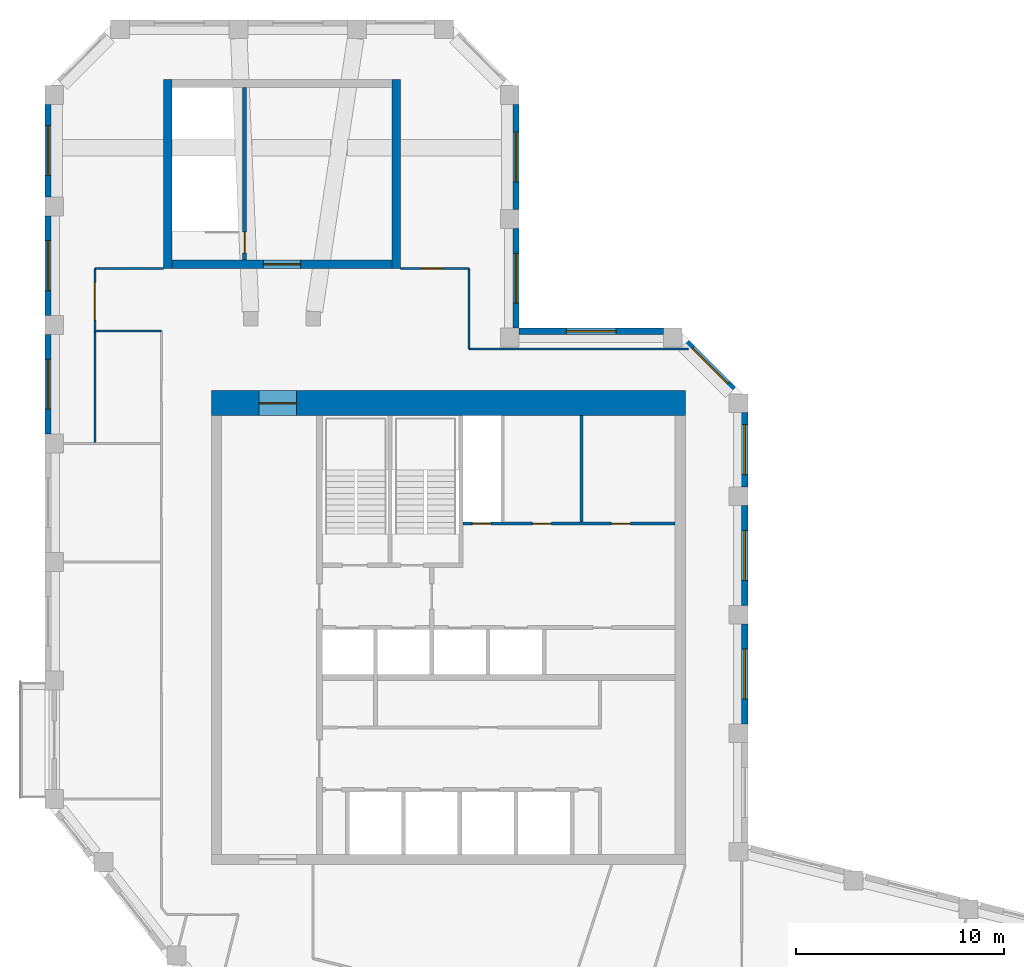
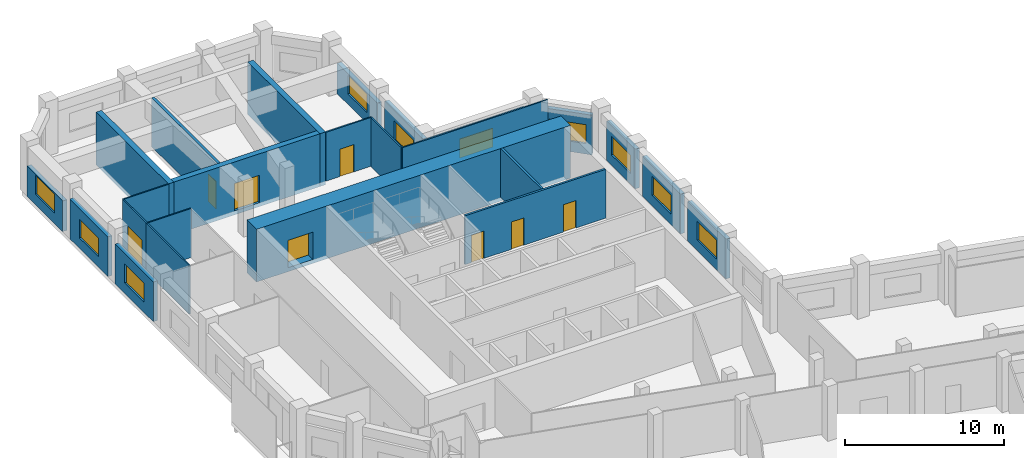
# One storey, part 6 of 8: 24 walls, 10 windows, 8 doors, 18 openings.
"""IFC4 building model written with IfcOpenShell, lengths in metres."""

from ifc_helpers import new_model, si_unit, direction, frame, frame_2d, origin, place, context, subcontext, project, spatial, rectangle, extrude, material, layer, layer_set, type_object, element, fill, save


model = new_model("IFC4")

# Units and contexts
model_context = context("Model", 3, precision=1e-05, world=origin(), true_north=direction((0.0, 1.0)))
body_context = subcontext(model_context, "Body", "Model", "MODEL_VIEW")
ifc_project = project(units=[si_unit("LENGTHUNIT", "METRE"), si_unit("AREAUNIT", "SQUARE_METRE"), si_unit("VOLUMEUNIT", "CUBIC_METRE"), si_unit("PLANEANGLEUNIT", "RADIAN"), si_unit("MASSUNIT", "GRAM", prefix="KILO")], contexts=[model_context])

# Site, building, storey
site_placement = place(None, origin())
site = spatial("IfcSite", under=ifc_project, at=site_placement, CompositionType="ELEMENT")
building_placement = place(site_placement, origin())
building = spatial("IfcBuilding", under=site, at=building_placement, Name="Meshkara Civic Tower", CompositionType="ELEMENT")
storey_placement = place(building_placement, frame((0.0, 0.0, 396.0)))
storey = spatial("IfcBuildingStorey", under=building, at=storey_placement, Name="L91", CompositionType="ELEMENT", Elevation=396.0)

# Wall, openings, doors
ifc_material_1 = material(Name="Blockwork", Category="masonry")
ifc_layer_1 = layer(ifc_material_1, 0.14990234375)
ifc_layer_set_1 = layer_set([ifc_layer_1], Name="Core partition 150")
wall_type_1 = type_object("IfcWallType", Name="Core partition 150", PredefinedType="PARTITIONING", material=ifc_layer_set_1)
wall_1_placement = place(storey_placement, frame((20.10009765625, 30.5, 0.0), z_axis=(0.0, 0.0, 1.0), x_axis=(1.0, 0.0, 0.0)))
wall_1 = element("IfcWall", 1, at=wall_1_placement, inside=storey, type_object=wall_type_1, Name="L91-C010", PredefinedType="PARTITIONING", context=body_context, shape_type="SweptSolid", body=[
    extrude(rectangle(XDim=10.199951171875, YDim=0.14990234375, at=frame_2d((5.10009765625, 0.0))), origin(), (0.0, 0.0, 1.0), 3.75),
])
opening_1_placement = place(wall_1_placement, frame((0.449951171875, 0.0, 0.0)))
opening_1 = element("IfcOpeningElement", 2, at=opening_1_placement, cuts=wall_1, Name="Opening L91-K014", PredefinedType="OPENING", context=body_context, shape_type="SweptSolid", body=[
    extrude(rectangle(XDim=0.89990234375, YDim=2.10009765625, at=frame_2d((0.449951171875, 1.050048828125))), frame((0.0, 0.0849609375, 0.0), z_axis=(0.0, -1.0, 0.0), x_axis=(1.0, 0.0, 0.0)), (0.0, 0.0, 1.0), 0.169921875),
])
opening_2_placement = place(wall_1_placement, frame((3.35009765625, 0.0, 0.0)))
opening_2 = element("IfcOpeningElement", 3, at=opening_2_placement, cuts=wall_1, Name="Opening L91-K015", PredefinedType="OPENING", context=body_context, shape_type="SweptSolid", body=[
    extrude(rectangle(XDim=0.89990234375, YDim=2.10009765625, at=frame_2d((0.449951171875, 1.050048828125))), frame((0.0, 0.0849609375, 0.0), z_axis=(0.0, -1.0, 0.0), x_axis=(1.0, 0.0, 0.0)), (0.0, 0.0, 1.0), 0.169921875),
])
opening_3_placement = place(wall_1_placement, frame((7.14990234375, 0.0, 0.0)))
opening_3 = element("IfcOpeningElement", 4, at=opening_3_placement, cuts=wall_1, Name="Opening L91-K016", PredefinedType="OPENING", context=body_context, shape_type="SweptSolid", body=[
    extrude(rectangle(XDim=0.89990234375, YDim=2.10009765625, at=frame_2d((0.449951171875, 1.050048828125))), frame((0.0, 0.0849609375, 0.0), z_axis=(0.0, -1.0, 0.0), x_axis=(1.0, 0.0, 0.0)), (0.0, 0.0, 1.0), 0.169921875),
])
ifc_material_2 = material(Name="Timber door leaf in steel frame", Category="steel")
door_type_1 = type_object("IfcDoorType", Name="Core room door 900", OperationType="SINGLE_SWING_LEFT", PredefinedType="DOOR", material=ifc_material_2)
door_1_placement = place(opening_2_placement, origin())
door_1 = element("IfcDoor", 5, at=door_1_placement, inside=storey, type_object=door_type_1, Name="L91-K015", OperationType="SINGLE_SWING_RIGHT", OverallHeight=2.10009765625, OverallWidth=0.89990234375, PredefinedType="DOOR", context=body_context, shape_type="SweptSolid", body=[
    extrude(rectangle(XDim=0.89990234375, YDim=2.10009765625, at=frame_2d((0.449951171875, 1.050048828125))), frame((0.0, 0.02490234375, 0.0), z_axis=(0.0, -1.0, 0.0), x_axis=(1.0, 0.0, 0.0)), (0.0, 0.0, 1.0), 0.050048828125),
])
fill(opening_2, door_1)
ifc_material_3 = material(Name="Fire-rated door leaf in steel frame", Category="steel")
door_type_2 = type_object("IfcDoorType", Name="Riser door 900", OperationType="SINGLE_SWING_LEFT", PredefinedType="DOOR", material=ifc_material_3)
door_2_placement = place(opening_1_placement, origin())
door_2 = element("IfcDoor", 6, at=door_2_placement, inside=storey, type_object=door_type_2, Name="L91-K014", OperationType="SINGLE_SWING_RIGHT", OverallHeight=2.10009765625, OverallWidth=0.89990234375, PredefinedType="DOOR", context=body_context, shape_type="SweptSolid", body=[
    extrude(rectangle(XDim=0.89990234375, YDim=2.10009765625, at=frame_2d((0.449951171875, 1.050048828125))), frame((0.0, 0.02490234375, 0.0), z_axis=(0.0, -1.0, 0.0), x_axis=(1.0, 0.0, 0.0)), (0.0, 0.0, 1.0), 0.050048828125),
])
fill(opening_1, door_2)
ifc_material_4 = material(Name="Timber door leaf in steel frame", Category="steel")
door_type_3 = type_object("IfcDoorType", Name="WC door 900", OperationType="SINGLE_SWING_LEFT", PredefinedType="DOOR", material=ifc_material_4)
door_3_placement = place(opening_3_placement, origin())
door_3 = element("IfcDoor", 7, at=door_3_placement, inside=storey, type_object=door_type_3, Name="L91-K016", OperationType="SINGLE_SWING_LEFT", OverallHeight=2.10009765625, OverallWidth=0.89990234375, PredefinedType="DOOR", context=body_context, shape_type="SweptSolid", body=[
    extrude(rectangle(XDim=0.89990234375, YDim=2.10009765625, at=frame_2d((0.449951171875, 1.050048828125))), frame((0.0, 0.02490234375, 0.0), z_axis=(0.0, -1.0, 0.0), x_axis=(1.0, 0.0, 0.0)), (0.0, 0.0, 1.0), 0.050048828125),
])
fill(opening_3, door_3)

# Wall
wall_2_placement = place(storey_placement, frame((25.800048828125, 30.574951171875, 0.0), z_axis=(0.0, 0.0, 1.0), x_axis=(0.0, 1.0, 0.0)))
element("IfcWall", 8, at=wall_2_placement, inside=storey, type_object=wall_type_1, Name="L91-C024", PredefinedType="PARTITIONING", context=body_context, shape_type="SweptSolid", body=[
    extrude(rectangle(XDim=5.125, YDim=0.14990234375, at=frame_2d((2.5625, 0.0))), origin(), (0.0, 0.0, 1.0), 3.75),
])

# Wall, opening, door
ifc_material_5 = material(Name="Concrete C50", Category="concrete")
ifc_layer_2 = layer(ifc_material_5, 1.199951171875)
ifc_layer_set_2 = layer_set([ifc_layer_2], Name="Core ring wall 1200 C50")
wall_type_2 = type_object("IfcWallType", Name="Core ring wall 1200 C50", PredefinedType="SHEAR", material=ifc_layer_set_2)
wall_3_placement = place(storey_placement, frame((8.0, 36.300048828125, -0.300048828125), z_axis=(0.0, 0.0, 1.0), x_axis=(1.0, 0.0, 0.0)))
wall_3 = element("IfcWall", 9, at=wall_3_placement, inside=storey, type_object=wall_type_2, Name="L91-C002", PredefinedType="SHEAR", context=body_context, shape_type="SweptSolid", body=[
    extrude(rectangle(XDim=22.800048828125, YDim=1.199951171875, at=frame_2d((11.39990234375, 0.0))), origin(), (0.0, 0.0, 1.0), 4.050048828125),
])
opening_4_placement = place(wall_3_placement, frame((2.300048828125, 0.0, 0.300048828125)))
opening_4 = element("IfcOpeningElement", 10, at=opening_4_placement, cuts=wall_3, Name="Opening L91-K022", PredefinedType="OPENING", context=body_context, shape_type="SweptSolid", body=[
    extrude(rectangle(XDim=1.800048828125, YDim=2.10009765625, at=frame_2d((0.89990234375, 1.050048828125))), frame((0.0, 0.60986328125, 0.0), z_axis=(0.0, -1.0, 0.0), x_axis=(1.0, 0.0, 0.0)), (0.0, 0.0, 1.0), 1.219970703125),
])
ifc_material_6 = material(Name="Fire-rated door leaf in steel frame", Category="steel")
door_type_4 = type_object("IfcDoorType", Name="Core double door 1800 EI 60", OperationType="DOUBLE_DOOR_SINGLE_SWING", PredefinedType="DOOR", material=ifc_material_6)
door_4_placement = place(opening_4_placement, origin())
door_4 = element("IfcDoor", 11, at=door_4_placement, inside=storey, type_object=door_type_4, Name="L91-K022", OperationType="DOUBLE_DOOR_SINGLE_SWING", OverallHeight=2.10009765625, OverallWidth=1.800048828125, PredefinedType="DOOR", context=body_context, shape_type="SweptSolid", body=[
    extrude(rectangle(XDim=1.800048828125, YDim=2.10009765625, at=frame_2d((0.89990234375, 1.050048828125))), frame((0.0, 0.02490234375, 0.0), z_axis=(0.0, -1.0, 0.0), x_axis=(1.0, 0.0, 0.0)), (0.0, 0.0, 1.0), 0.050048828125),
])
fill(opening_4, door_4)

# Wall
ifc_material_7 = material(Name="Corridor wall 100")
ifc_layer_3 = layer(ifc_material_7, 0.10009765625)
ifc_layer_set_3 = layer_set([ifc_layer_3], Name="Corridor wall 100")
wall_type_3 = type_object("IfcWallType", Name="Corridor wall 100", PredefinedType="PARTITIONING", material=ifc_layer_set_3)
wall_4_placement = place(storey_placement, frame((2.39990234375, 39.77001953125, 0.0), z_axis=(0.0, 0.0, 1.0), x_axis=(1.0, 0.0, 0.0)))
element("IfcWall", 12, at=wall_4_placement, inside=storey, type_object=wall_type_3, Name="L91-W001", PredefinedType="PARTITIONING", context=body_context, shape_type="SweptSolid", body=[
    extrude(rectangle(XDim=3.2001953125, YDim=0.10009765625, at=frame_2d((1.60009765625, 0.0))), origin(), (0.0, 0.0, 1.0), 3.75),
])

# Wall, opening, door
wall_5_placement = place(storey_placement, frame((2.39990234375, 42.77001953125, 0.0), z_axis=(0.0, 0.0, 1.0), x_axis=(0.0, -1.0, 0.0)))
wall_5 = element("IfcWall", 13, at=wall_5_placement, inside=storey, type_object=wall_type_3, Name="L91-W002", PredefinedType="PARTITIONING", context=body_context, shape_type="SweptSolid", body=[
    extrude(rectangle(XDim=3.0, YDim=0.10009765625, at=frame_2d((1.5, 0.0))), origin(), (0.0, 0.0, 1.0), 3.75),
])
opening_5_placement = place(wall_5_placement, frame((0.679931640625, 0.0, 0.0)))
opening_5 = element("IfcOpeningElement", 14, at=opening_5_placement, cuts=wall_5, Name="Opening L91-D014", PredefinedType="OPENING", context=body_context, shape_type="SweptSolid", body=[
    extrude(rectangle(XDim=1.800048828125, YDim=2.10009765625, at=frame_2d((0.89990234375, 1.050048828125))), frame((0.0, 0.06005859375, 0.0), z_axis=(0.0, -1.0, 0.0), x_axis=(1.0, 0.0, 0.0)), (0.0, 0.0, 1.0), 0.1201171875),
])
ifc_material_8 = material(Name="Door pair 1800 x 2100")
door_type_5 = type_object("IfcDoorType", Name="Door pair 1800 x 2100", OperationType="SINGLE_SWING_LEFT", PredefinedType="DOOR", material=ifc_material_8)
door_5_placement = place(opening_5_placement, origin())
door_5 = element("IfcDoor", 15, at=door_5_placement, inside=storey, type_object=door_type_5, Name="L91-D014", OperationType="DOUBLE_DOOR_SINGLE_SWING", OverallHeight=2.10009765625, OverallWidth=1.800048828125, PredefinedType="DOOR", context=body_context, shape_type="SweptSolid", body=[
    extrude(rectangle(XDim=1.800048828125, YDim=2.10009765625, at=frame_2d((0.89990234375, 1.050048828125))), frame((0.0, 0.02490234375, 0.0), z_axis=(0.0, -1.0, 0.0), x_axis=(1.0, 0.0, 0.0)), (0.0, 0.0, 1.0), 0.050048828125),
])
fill(opening_5, door_5)

# Walls
wall_6_placement = place(storey_placement, frame((5.699951171875, 42.77001953125, 0.0), z_axis=(0.0, 0.0, 1.0), x_axis=(-1.0, 0.0, 0.0)))
element("IfcWall", 16, at=wall_6_placement, inside=storey, type_object=wall_type_3, Name="L91-W005", PredefinedType="PARTITIONING", context=body_context, shape_type="SweptSolid", body=[
    extrude(rectangle(XDim=3.300048828125, YDim=0.10009765625, at=frame_2d((1.64990234375, 0.0))), origin(), (0.0, 0.0, 1.0), 3.75),
])
wall_7_placement = place(storey_placement, frame((20.39990234375, 38.89990234375, 0.0), z_axis=(0.0, 0.0, 1.0), x_axis=(0.0, 1.0, 0.0)))
element("IfcWall", 17, at=wall_7_placement, inside=storey, type_object=wall_type_3, Name="L91-W011", PredefinedType="PARTITIONING", context=body_context, shape_type="SweptSolid", body=[
    extrude(rectangle(XDim=3.8701171875, YDim=0.10009765625, at=frame_2d((1.93505859375, 0.0))), origin(), (0.0, 0.0, 1.0), 3.75),
])

# Wall, opening, door
wall_8_placement = place(storey_placement, frame((20.39990234375, 42.77001953125, 0.0), z_axis=(0.0, 0.0, 1.0), x_axis=(-1.0, 0.0, 0.0)))
wall_8 = element("IfcWall", 18, at=wall_8_placement, inside=storey, type_object=wall_type_3, Name="L91-W012", PredefinedType="PARTITIONING", context=body_context, shape_type="SweptSolid", body=[
    extrude(rectangle(XDim=3.2998046875, YDim=0.10009765625, at=frame_2d((1.64990234375, 0.0))), origin(), (0.0, 0.0, 1.0), 3.75),
])
opening_6_placement = place(wall_8_placement, frame((1.280029296875, 0.0, 0.0)))
opening_6 = element("IfcOpeningElement", 19, at=opening_6_placement, cuts=wall_8, Name="Opening L91-D016", PredefinedType="OPENING", context=body_context, shape_type="SweptSolid", body=[
    extrude(rectangle(XDim=1.0, YDim=2.10009765625, at=frame_2d((0.5, 1.050048828125))), frame((0.0, 0.06005859375, 0.0), z_axis=(0.0, -1.0, 0.0), x_axis=(1.0, 0.0, 0.0)), (0.0, 0.0, 1.0), 0.1201171875),
])
ifc_material_9 = material(Name="Door 1000 x 2100")
door_type_6 = type_object("IfcDoorType", Name="Door 1000 x 2100", OperationType="SINGLE_SWING_LEFT", PredefinedType="DOOR", material=ifc_material_9)
door_6_placement = place(opening_6_placement, origin())
door_6 = element("IfcDoor", 20, at=door_6_placement, inside=storey, type_object=door_type_6, Name="L91-D016", OperationType="SINGLE_SWING_LEFT", OverallHeight=2.10009765625, OverallWidth=1.0, PredefinedType="DOOR", context=body_context, shape_type="SweptSolid", body=[
    extrude(rectangle(XDim=1.0, YDim=2.10009765625, at=frame_2d((0.5, 1.050048828125))), frame((0.0, 0.02490234375, 0.0), z_axis=(0.0, -1.0, 0.0), x_axis=(1.0, 0.0, 0.0)), (0.0, 0.0, 1.0), 0.050048828125),
])
fill(opening_6, door_6)

# Wall
wall_9_placement = place(storey_placement, frame((30.9560546875, 38.89990234375, 0.0), z_axis=(0.0, 0.0, 1.0), x_axis=(-1.0, 0.0, 0.0)))
element("IfcWall", 21, at=wall_9_placement, inside=storey, type_object=wall_type_3, Name="L91-W014", PredefinedType="PARTITIONING", context=body_context, shape_type="SweptSolid", body=[
    extrude(rectangle(XDim=10.55615234375, YDim=0.10009765625, at=frame_2d((5.278076171875, 0.0))), origin(), (0.0, 0.0, 1.0), 3.75),
])

# Wall, opening, window
ifc_material_10 = material(Name="Insulated infill panel with bronze anodised aluminium cladding", Category="aluminium")
ifc_layer_4 = layer(ifc_material_10, 0.300048828125)
ifc_layer_set_4 = layer_set([ifc_layer_4], Name="EXTERNAL INFILL WALL 300")
wall_type_4 = type_object("IfcWallType", Name="EXTERNAL INFILL WALL 300", PredefinedType="SOLIDWALL", material=ifc_layer_set_4)
wall_10_placement = place(storey_placement, frame((33.64990234375, 20.868896484375, 0.0), z_axis=(0.0, 0.0, 1.0), x_axis=(0.0, 1.0, 0.0)))
wall_10 = element("IfcWall", 22, at=wall_10_placement, inside=storey, type_object=wall_type_4, Name="External wall", PredefinedType="SOLIDWALL", context=body_context, shape_type="SweptSolid", body=[
    extrude(rectangle(XDim=4.800048828125, YDim=0.300048828125, at=frame_2d((2.39990234375, 0.0))), origin(), (0.0, 0.0, 1.0), 3.050048828125),
])
opening_7_placement = place(wall_10_placement, frame((1.199951171875, 0.0, 0.800048828125)))
opening_7 = element("IfcOpeningElement", 23, at=opening_7_placement, cuts=wall_10, Name="Opening W8", PredefinedType="OPENING", context=body_context, shape_type="SweptSolid", body=[
    extrude(rectangle(XDim=2.39990234375, YDim=1.449951171875, at=frame_2d((1.199951171875, 0.72509765625))), frame((0.0, 0.159912109375, 0.0), z_axis=(0.0, -1.0, 0.0), x_axis=(1.0, 0.0, 0.0)), (0.0, 0.0, 1.0), 0.320068359375),
])
ifc_material_11 = material(Name="Tinted double glazing", Category="glass")
window_type = type_object("IfcWindowType", Name="WINDOW 2400x1450", PartitioningType="DOUBLE_PANEL_VERTICAL", PredefinedType="WINDOW", material=ifc_material_11)
window_1_placement = place(opening_7_placement, origin())
window_1 = element("IfcWindow", 24, at=window_1_placement, inside=storey, type_object=window_type, Name="Window", OverallHeight=1.449951171875, OverallWidth=2.39990234375, PartitioningType="DOUBLE_PANEL_VERTICAL", PredefinedType="WINDOW", context=body_context, shape_type="SweptSolid", body=[
    extrude(rectangle(XDim=2.39990234375, YDim=1.449951171875, at=frame_2d((1.199951171875, 0.72509765625))), frame((0.0, 0.030029296875, 0.0), z_axis=(0.0, -1.0, 0.0), x_axis=(1.0, 0.0, 0.0)), (0.0, 0.0, 1.0), 0.06005859375),
])
fill(opening_7, window_1)

wall_11_placement = place(storey_placement, frame((33.64990234375, 26.569091796875, 0.0), z_axis=(0.0, 0.0, 1.0), x_axis=(0.0, 1.0, 0.0)))
wall_11 = element("IfcWall", 25, at=wall_11_placement, inside=storey, type_object=wall_type_4, Name="External wall", PredefinedType="SOLIDWALL", context=body_context, shape_type="SweptSolid", body=[
    extrude(rectangle(XDim=4.7998046875, YDim=0.300048828125, at=frame_2d((2.39990234375, 0.0))), origin(), (0.0, 0.0, 1.0), 3.050048828125),
])
opening_8_placement = place(wall_11_placement, frame((1.199951171875, 0.0, 0.800048828125)))
opening_8 = element("IfcOpeningElement", 26, at=opening_8_placement, cuts=wall_11, Name="Opening W8", PredefinedType="OPENING", context=body_context, shape_type="SweptSolid", body=[
    extrude(rectangle(XDim=2.39990234375, YDim=1.449951171875, at=frame_2d((1.199951171875, 0.72509765625))), frame((0.0, 0.159912109375, 0.0), z_axis=(0.0, -1.0, 0.0), x_axis=(1.0, 0.0, 0.0)), (0.0, 0.0, 1.0), 0.320068359375),
])
window_2_placement = place(opening_8_placement, origin())
window_2 = element("IfcWindow", 27, at=window_2_placement, inside=storey, type_object=window_type, Name="Window", OverallHeight=1.449951171875, OverallWidth=2.39990234375, PartitioningType="DOUBLE_PANEL_VERTICAL", PredefinedType="WINDOW", context=body_context, shape_type="SweptSolid", body=[
    extrude(rectangle(XDim=2.39990234375, YDim=1.449951171875, at=frame_2d((1.199951171875, 0.72509765625))), frame((0.0, 0.030029296875, 0.0), z_axis=(0.0, -1.0, 0.0), x_axis=(1.0, 0.0, 0.0)), (0.0, 0.0, 1.0), 0.06005859375),
])
fill(opening_8, window_2)

wall_12_placement = place(storey_placement, frame((33.64990234375, 32.26904296875, 0.0), z_axis=(0.0, 0.0, 1.0), x_axis=(0.0, 1.0, 0.0)))
wall_12 = element("IfcWall", 28, at=wall_12_placement, inside=storey, type_object=wall_type_4, Name="External wall", PredefinedType="SOLIDWALL", context=body_context, shape_type="SweptSolid", body=[
    extrude(rectangle(XDim=3.574951171875, YDim=0.300048828125, at=frame_2d((1.78759765625, 0.0))), origin(), (0.0, 0.0, 1.0), 3.050048828125),
])
opening_9_placement = place(wall_12_placement, frame((0.587890625, 0.0, 0.800048828125)))
opening_9 = element("IfcOpeningElement", 29, at=opening_9_placement, cuts=wall_12, Name="Opening W8", PredefinedType="OPENING", context=body_context, shape_type="SweptSolid", body=[
    extrude(rectangle(XDim=2.39990234375, YDim=1.449951171875, at=frame_2d((1.199951171875, 0.72509765625))), frame((0.0, 0.159912109375, 0.0), z_axis=(0.0, -1.0, 0.0), x_axis=(1.0, 0.0, 0.0)), (0.0, 0.0, 1.0), 0.320068359375),
])
window_3_placement = place(opening_9_placement, origin())
window_3 = element("IfcWindow", 30, at=window_3_placement, inside=storey, type_object=window_type, Name="Window", OverallHeight=1.449951171875, OverallWidth=2.39990234375, PartitioningType="DOUBLE_PANEL_VERTICAL", PredefinedType="WINDOW", context=body_context, shape_type="SweptSolid", body=[
    extrude(rectangle(XDim=2.39990234375, YDim=1.449951171875, at=frame_2d((1.199951171875, 0.72509765625))), frame((0.0, 0.030029296875, 0.0), z_axis=(0.0, -1.0, 0.0), x_axis=(1.0, 0.0, 0.0)), (0.0, 0.0, 1.0), 0.06005859375),
])
fill(opening_9, window_3)

wall_13_placement = place(storey_placement, frame((33.112060546875, 36.9560546875, 0.0), z_axis=(0.0, 0.0, 1.0), x_axis=(-0.707145041435, 0.707068518868, 0.0)))
wall_13 = element("IfcWall", 31, at=wall_13_placement, inside=storey, type_object=wall_type_4, Name="External wall", PredefinedType="SOLIDWALL", context=body_context, shape_type="SweptSolid", body=[
    extrude(rectangle(XDim=3.1904296875, YDim=0.300048828125, at=frame_2d((1.59521484375, 0.0))), origin(), (0.0, 0.0, 1.0), 3.050048828125),
])
opening_10_placement = place(wall_13_placement, frame((0.39501953125, 0.0, 0.800048828125)))
opening_10 = element("IfcOpeningElement", 32, at=opening_10_placement, cuts=wall_13, Name="Opening W8", PredefinedType="OPENING", context=body_context, shape_type="SweptSolid", body=[
    extrude(rectangle(XDim=2.39990234375, YDim=1.449951171875, at=frame_2d((1.199951171875, 0.72509765625))), frame((0.0, 0.159912109375, 0.0), z_axis=(0.0, -1.0, 0.0), x_axis=(1.0, 0.0, 0.0)), (0.0, 0.0, 1.0), 0.320068359375),
])
window_4_placement = place(opening_10_placement, origin())
window_4 = element("IfcWindow", 33, at=window_4_placement, inside=storey, type_object=window_type, Name="Window", OverallHeight=1.449951171875, OverallWidth=2.39990234375, PartitioningType="DOUBLE_PANEL_VERTICAL", PredefinedType="WINDOW", context=body_context, shape_type="SweptSolid", body=[
    extrude(rectangle(XDim=2.39990234375, YDim=1.449951171875, at=frame_2d((1.199951171875, 0.72509765625))), frame((0.0, 0.030029296875, 0.0), z_axis=(0.0, -1.0, 0.0), x_axis=(1.0, 0.0, 0.0)), (0.0, 0.0, 1.0), 0.06005859375),
])
fill(opening_10, window_4)

wall_14_placement = place(storey_placement, frame((29.743896484375, 39.75, 0.0), z_axis=(0.0, 0.0, 1.0), x_axis=(-1.0, 0.0, 0.0)))
wall_14 = element("IfcWall", 34, at=wall_14_placement, inside=storey, type_object=wall_type_4, Name="External wall", PredefinedType="SOLIDWALL", context=body_context, shape_type="SweptSolid", body=[
    extrude(rectangle(XDim=6.94384765625, YDim=0.300048828125, at=frame_2d((3.471923828125, 0.0))), origin(), (0.0, 0.0, 1.0), 3.050048828125),
])
opening_11_placement = place(wall_14_placement, frame((2.27197265625, 0.0, 0.800048828125)))
opening_11 = element("IfcOpeningElement", 35, at=opening_11_placement, cuts=wall_14, Name="Opening W8", PredefinedType="OPENING", context=body_context, shape_type="SweptSolid", body=[
    extrude(rectangle(XDim=2.39990234375, YDim=1.449951171875, at=frame_2d((1.199951171875, 0.72509765625))), frame((0.0, 0.159912109375, 0.0), z_axis=(0.0, -1.0, 0.0), x_axis=(1.0, 0.0, 0.0)), (0.0, 0.0, 1.0), 0.320068359375),
])
window_5_placement = place(opening_11_placement, origin())
window_5 = element("IfcWindow", 36, at=window_5_placement, inside=storey, type_object=window_type, Name="Window", OverallHeight=1.449951171875, OverallWidth=2.39990234375, PartitioningType="DOUBLE_PANEL_VERTICAL", PredefinedType="WINDOW", context=body_context, shape_type="SweptSolid", body=[
    extrude(rectangle(XDim=2.39990234375, YDim=1.449951171875, at=frame_2d((1.199951171875, 0.72509765625))), frame((0.0, 0.030029296875, 0.0), z_axis=(0.0, -1.0, 0.0), x_axis=(1.0, 0.0, 0.0)), (0.0, 0.0, 1.0), 0.06005859375),
])
fill(opening_11, window_5)

wall_15_placement = place(storey_placement, frame((22.64990234375, 39.89990234375, 0.0), z_axis=(0.0, 0.0, 1.0), x_axis=(0.0, 1.0, 0.0)))
wall_15 = element("IfcWall", 37, at=wall_15_placement, inside=storey, type_object=wall_type_4, Name="External wall", PredefinedType="SOLIDWALL", context=body_context, shape_type="SweptSolid", body=[
    extrude(rectangle(XDim=4.800048828125, YDim=0.300048828125, at=frame_2d((2.39990234375, 0.0))), origin(), (0.0, 0.0, 1.0), 3.050048828125),
])
opening_12_placement = place(wall_15_placement, frame((1.199951171875, 0.0, 0.800048828125)))
opening_12 = element("IfcOpeningElement", 38, at=opening_12_placement, cuts=wall_15, Name="Opening W8", PredefinedType="OPENING", context=body_context, shape_type="SweptSolid", body=[
    extrude(rectangle(XDim=2.39990234375, YDim=1.449951171875, at=frame_2d((1.199951171875, 0.72509765625))), frame((0.0, 0.159912109375, 0.0), z_axis=(0.0, -1.0, 0.0), x_axis=(1.0, 0.0, 0.0)), (0.0, 0.0, 1.0), 0.320068359375),
])
window_6_placement = place(opening_12_placement, origin())
window_6 = element("IfcWindow", 39, at=window_6_placement, inside=storey, type_object=window_type, Name="Window", OverallHeight=1.449951171875, OverallWidth=2.39990234375, PartitioningType="DOUBLE_PANEL_VERTICAL", PredefinedType="WINDOW", context=body_context, shape_type="SweptSolid", body=[
    extrude(rectangle(XDim=2.39990234375, YDim=1.449951171875, at=frame_2d((1.199951171875, 0.72509765625))), frame((0.0, 0.030029296875, 0.0), z_axis=(0.0, -1.0, 0.0), x_axis=(1.0, 0.0, 0.0)), (0.0, 0.0, 1.0), 0.06005859375),
])
fill(opening_12, window_6)

wall_16_placement = place(storey_placement, frame((22.64990234375, 45.60009765625, 0.0), z_axis=(0.0, 0.0, 1.0), x_axis=(0.0, 1.0, 0.0)))
wall_16 = element("IfcWall", 40, at=wall_16_placement, inside=storey, type_object=wall_type_4, Name="External wall", PredefinedType="SOLIDWALL", context=body_context, shape_type="SweptSolid", body=[
    extrude(rectangle(XDim=5.06396484375, YDim=0.300048828125, at=frame_2d((2.531982421875, 0.0))), origin(), (0.0, 0.0, 1.0), 2.35009765625),
])
opening_13_placement = place(wall_16_placement, frame((1.33203125, 0.0, 0.800048828125)))
opening_13 = element("IfcOpeningElement", 41, at=opening_13_placement, cuts=wall_16, Name="Opening W8", PredefinedType="OPENING", context=body_context, shape_type="SweptSolid", body=[
    extrude(rectangle(XDim=2.39990234375, YDim=1.449951171875, at=frame_2d((1.199951171875, 0.72509765625))), frame((0.0, 0.159912109375, 0.0), z_axis=(0.0, -1.0, 0.0), x_axis=(1.0, 0.0, 0.0)), (0.0, 0.0, 1.0), 0.320068359375),
])
window_7_placement = place(opening_13_placement, origin())
window_7 = element("IfcWindow", 42, at=window_7_placement, inside=storey, type_object=window_type, Name="Window", OverallHeight=1.449951171875, OverallWidth=2.39990234375, PartitioningType="DOUBLE_PANEL_VERTICAL", PredefinedType="WINDOW", context=body_context, shape_type="SweptSolid", body=[
    extrude(rectangle(XDim=2.39990234375, YDim=1.449951171875, at=frame_2d((1.199951171875, 0.72509765625))), frame((0.0, 0.030029296875, 0.0), z_axis=(0.0, -1.0, 0.0), x_axis=(1.0, 0.0, 0.0)), (0.0, 0.0, 1.0), 0.06005859375),
])
fill(opening_13, window_7)

wall_17_placement = place(storey_placement, frame((0.14990234375, 50.6640625, 0.0), z_axis=(0.0, 0.0, 1.0), x_axis=(0.0, -1.0, 0.0)))
wall_17 = element("IfcWall", 43, at=wall_17_placement, inside=storey, type_object=wall_type_4, Name="External wall", PredefinedType="SOLIDWALL", context=body_context, shape_type="SweptSolid", body=[
    extrude(rectangle(XDim=4.458984375, YDim=0.300048828125, at=frame_2d((2.2294921875, 0.0))), origin(), (0.0, 0.0, 1.0), 2.35009765625),
])
opening_14_placement = place(wall_17_placement, frame((1.029052734375, 0.0, 0.800048828125)))
opening_14 = element("IfcOpeningElement", 44, at=opening_14_placement, cuts=wall_17, Name="Opening W8", PredefinedType="OPENING", context=body_context, shape_type="SweptSolid", body=[
    extrude(rectangle(XDim=2.39990234375, YDim=1.449951171875, at=frame_2d((1.199951171875, 0.72509765625))), frame((0.0, 0.159912109375, 0.0), z_axis=(0.0, -1.0, 0.0), x_axis=(1.0, 0.0, 0.0)), (0.0, 0.0, 1.0), 0.320068359375),
])
window_8_placement = place(opening_14_placement, origin())
window_8 = element("IfcWindow", 45, at=window_8_placement, inside=storey, type_object=window_type, Name="Window", OverallHeight=1.449951171875, OverallWidth=2.39990234375, PartitioningType="DOUBLE_PANEL_VERTICAL", PredefinedType="WINDOW", context=body_context, shape_type="SweptSolid", body=[
    extrude(rectangle(XDim=2.39990234375, YDim=1.449951171875, at=frame_2d((1.199951171875, 0.72509765625))), frame((0.0, 0.030029296875, 0.0), z_axis=(0.0, -1.0, 0.0), x_axis=(1.0, 0.0, 0.0)), (0.0, 0.0, 1.0), 0.06005859375),
])
fill(opening_14, window_8)

wall_18_placement = place(storey_placement, frame((0.14990234375, 45.304931640625, 0.0), z_axis=(0.0, 0.0, 1.0), x_axis=(0.0, -1.0, 0.0)))
wall_18 = element("IfcWall", 46, at=wall_18_placement, inside=storey, type_object=wall_type_4, Name="External wall", PredefinedType="SOLIDWALL", context=body_context, shape_type="SweptSolid", body=[
    extrude(rectangle(XDim=4.800048828125, YDim=0.300048828125, at=frame_2d((2.39990234375, 0.0))), origin(), (0.0, 0.0, 1.0), 3.050048828125),
])
opening_15_placement = place(wall_18_placement, frame((1.199951171875, 0.0, 0.800048828125)))
opening_15 = element("IfcOpeningElement", 47, at=opening_15_placement, cuts=wall_18, Name="Opening W8", PredefinedType="OPENING", context=body_context, shape_type="SweptSolid", body=[
    extrude(rectangle(XDim=2.39990234375, YDim=1.449951171875, at=frame_2d((1.199951171875, 0.72509765625))), frame((0.0, 0.159912109375, 0.0), z_axis=(0.0, -1.0, 0.0), x_axis=(1.0, 0.0, 0.0)), (0.0, 0.0, 1.0), 0.320068359375),
])
window_9_placement = place(opening_15_placement, origin())
window_9 = element("IfcWindow", 48, at=window_9_placement, inside=storey, type_object=window_type, Name="Window", OverallHeight=1.449951171875, OverallWidth=2.39990234375, PartitioningType="DOUBLE_PANEL_VERTICAL", PredefinedType="WINDOW", context=body_context, shape_type="SweptSolid", body=[
    extrude(rectangle(XDim=2.39990234375, YDim=1.449951171875, at=frame_2d((1.199951171875, 0.72509765625))), frame((0.0, 0.030029296875, 0.0), z_axis=(0.0, -1.0, 0.0), x_axis=(1.0, 0.0, 0.0)), (0.0, 0.0, 1.0), 0.06005859375),
])
fill(opening_15, window_9)

wall_19_placement = place(storey_placement, frame((0.14990234375, 39.60498046875, 0.0), z_axis=(0.0, 0.0, 1.0), x_axis=(0.0, -1.0, 0.0)))
wall_19 = element("IfcWall", 49, at=wall_19_placement, inside=storey, type_object=wall_type_4, Name="External wall", PredefinedType="SOLIDWALL", context=body_context, shape_type="SweptSolid", body=[
    extrude(rectangle(XDim=4.800048828125, YDim=0.300048828125, at=frame_2d((2.39990234375, 0.0))), origin(), (0.0, 0.0, 1.0), 3.050048828125),
])
opening_16_placement = place(wall_19_placement, frame((1.199951171875, 0.0, 0.800048828125)))
opening_16 = element("IfcOpeningElement", 50, at=opening_16_placement, cuts=wall_19, Name="Opening W8", PredefinedType="OPENING", context=body_context, shape_type="SweptSolid", body=[
    extrude(rectangle(XDim=2.39990234375, YDim=1.449951171875, at=frame_2d((1.199951171875, 0.72509765625))), frame((0.0, 0.159912109375, 0.0), z_axis=(0.0, -1.0, 0.0), x_axis=(1.0, 0.0, 0.0)), (0.0, 0.0, 1.0), 0.320068359375),
])
window_10_placement = place(opening_16_placement, origin())
window_10 = element("IfcWindow", 51, at=window_10_placement, inside=storey, type_object=window_type, Name="Window", OverallHeight=1.449951171875, OverallWidth=2.39990234375, PartitioningType="DOUBLE_PANEL_VERTICAL", PredefinedType="WINDOW", context=body_context, shape_type="SweptSolid", body=[
    extrude(rectangle(XDim=2.39990234375, YDim=1.449951171875, at=frame_2d((1.199951171875, 0.72509765625))), frame((0.0, 0.030029296875, 0.0), z_axis=(0.0, -1.0, 0.0), x_axis=(1.0, 0.0, 0.0)), (0.0, 0.0, 1.0), 0.06005859375),
])
fill(opening_16, window_10)

# Walls
ifc_material_12 = material(Name="Concrete C50", Category="concrete")
ifc_layer_5 = layer(ifc_material_12, 0.39990234375)
ifc_layer_set_5 = layer_set([ifc_layer_5], Name="End core ring wall 400 C50")
wall_type_5 = type_object("IfcWallType", Name="End core ring wall 400 C50", PredefinedType="SHEAR", material=ifc_layer_set_5)
for number, where, z_axis, x_axis, name in (
    (52, (5.89990234375, 42.77001953125, -0.300048828125), (0.0, 0.0, 1.0), (0.0, 1.0, 0.0), "L91-C027"),
    (53, (16.89990234375, 42.77001953125, -0.300048828125), (0.0, 0.0, 1.0), (0.0, 1.0, 0.0), "L91-C028"),
):
    element("IfcWall", number, at=place(storey_placement, frame(where, z_axis=z_axis, x_axis=x_axis)), inside=storey, type_object=wall_type_5, Name=name, PredefinedType="SHEAR", context=body_context, shape_type="SweptSolid", body=[
        extrude(rectangle(XDim=9.10009765625, YDim=0.39990234375, at=frame_2d((4.550048828125, 0.0))), origin(), (0.0, 0.0, 1.0), 4.050048828125),
    ])

# Wall, opening, door
wall_20_placement = place(storey_placement, frame((6.10009765625, 42.969970703125, -0.300048828125), z_axis=(0.0, 0.0, 1.0), x_axis=(1.0, 0.0, 0.0)))
wall_20 = element("IfcWall", 54, at=wall_20_placement, inside=storey, type_object=wall_type_5, Name="L91-C029", PredefinedType="SHEAR", context=body_context, shape_type="SweptSolid", body=[
    extrude(rectangle(XDim=10.599853515625, YDim=0.39990234375, at=frame_2d((5.2998046875, 0.0))), origin(), (0.0, 0.0, 1.0), 4.050048828125),
])
opening_17_placement = place(wall_20_placement, frame((4.39990234375, 0.0, 0.300048828125)))
opening_17 = element("IfcOpeningElement", 55, at=opening_17_placement, cuts=wall_20, Name="Opening L91-K102", PredefinedType="OPENING", context=body_context, shape_type="SweptSolid", body=[
    extrude(rectangle(XDim=1.800048828125, YDim=2.10009765625, at=frame_2d((0.89990234375, 1.050048828125))), frame((0.0, 0.2099609375, 0.0), z_axis=(0.0, -1.0, 0.0), x_axis=(1.0, 0.0, 0.0)), (0.0, 0.0, 1.0), 0.419921875),
])
door_7_placement = place(opening_17_placement, origin())
door_7 = element("IfcDoor", 56, at=door_7_placement, inside=storey, type_object=door_type_4, Name="L91-K102", OperationType="DOUBLE_DOOR_SINGLE_SWING", OverallHeight=2.10009765625, OverallWidth=1.800048828125, PredefinedType="DOOR", context=body_context, shape_type="SweptSolid", body=[
    extrude(rectangle(XDim=1.800048828125, YDim=2.10009765625, at=frame_2d((0.89990234375, 1.050048828125))), frame((0.0, 0.02490234375, 0.0), z_axis=(0.0, -1.0, 0.0), x_axis=(1.0, 0.0, 0.0)), (0.0, 0.0, 1.0), 0.050048828125),
])
fill(opening_17, door_7)

# Wall
ifc_material_13 = material(Name="Partition 100")
ifc_layer_6 = layer(ifc_material_13, 0.10009765625)
ifc_layer_set_6 = layer_set([ifc_layer_6], Name="Partition 100")
wall_type_6 = type_object("IfcWallType", Name="Partition 100", PredefinedType="PARTITIONING", material=ifc_layer_set_6)
wall_21_placement = place(storey_placement, frame((2.39990234375, 34.405029296875, 0.0), z_axis=(0.0, 0.0, 1.0), x_axis=(0.0, 1.0, 0.0)))
element("IfcWall", 57, at=wall_21_placement, inside=storey, type_object=wall_type_6, Name="L91-W024", PredefinedType="PARTITIONING", context=body_context, shape_type="SweptSolid", body=[
    extrude(rectangle(XDim=5.368896484375, YDim=0.10009765625, at=frame_2d((2.6845703125, 0.0))), origin(), (0.0, 0.0, 1.0), 3.75),
])

# Wall, opening, door
ifc_material_14 = material(Name="Concrete C40/50", Category="concrete")
ifc_layer_7 = layer(ifc_material_14, 0.199951171875)
ifc_layer_set_7 = layer_set([ifc_layer_7], Name="Stair enclosure wall 200 C40/50")
wall_type_7 = type_object("IfcWallType", Name="Stair enclosure wall 200 C40/50", PredefinedType="SOLIDWALL", material=ifc_layer_set_7)
wall_22_placement = place(storey_placement, frame((9.60009765625, 43.169921875, 0.0), z_axis=(0.0, 0.0, 1.0), x_axis=(0.0, 1.0, 0.0)))
wall_22 = element("IfcWall", 58, at=wall_22_placement, inside=storey, type_object=wall_type_7, Name="L91-C031", PredefinedType="SOLIDWALL", context=body_context, shape_type="SweptSolid", body=[
    extrude(rectangle(XDim=8.300048828125, YDim=0.199951171875, at=frame_2d((4.14990234375, 0.0))), origin(), (0.0, 0.0, 1.0), 3.75),
])
opening_18_placement = place(wall_22_placement, frame((0.35009765625, 0.0, 0.0)))
opening_18 = element("IfcOpeningElement", 59, at=opening_18_placement, cuts=wall_22, Name="Opening L91-K101", PredefinedType="OPENING", context=body_context, shape_type="SweptSolid", body=[
    extrude(rectangle(XDim=1.0, YDim=2.10009765625, at=frame_2d((0.5, 1.050048828125))), frame((0.0, 0.10986328125, 0.0), z_axis=(0.0, -1.0, 0.0), x_axis=(1.0, 0.0, 0.0)), (0.0, 0.0, 1.0), 0.219970703125),
])
ifc_material_15 = material(Name="Fire-rated door leaf in steel frame", Category="steel")
door_type_7 = type_object("IfcDoorType", Name="Stair door 1000 EI 120", OperationType="SINGLE_SWING_LEFT", PredefinedType="DOOR", material=ifc_material_15)
door_8_placement = place(opening_18_placement, origin())
door_8 = element("IfcDoor", 60, at=door_8_placement, inside=storey, type_object=door_type_7, Name="L91-K101", OperationType="SINGLE_SWING_RIGHT", OverallHeight=2.10009765625, OverallWidth=1.0, PredefinedType="DOOR", context=body_context, shape_type="SweptSolid", body=[
    extrude(rectangle(XDim=1.0, YDim=2.10009765625, at=frame_2d((0.5, 1.050048828125))), frame((0.0, 0.02490234375, 0.0), z_axis=(0.0, -1.0, 0.0), x_axis=(1.0, 0.0, 0.0)), (0.0, 0.0, 1.0), 0.050048828125),
])
fill(opening_18, door_8)

save(model, "model.ifc")
